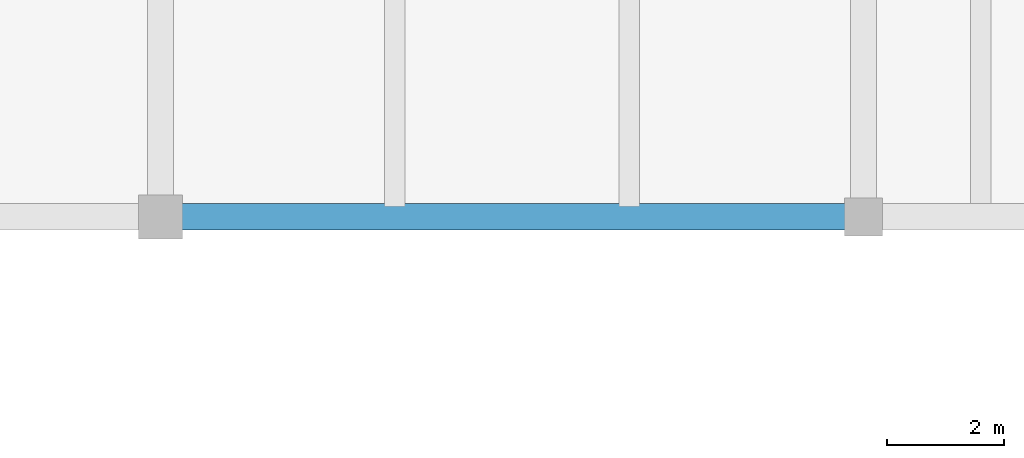
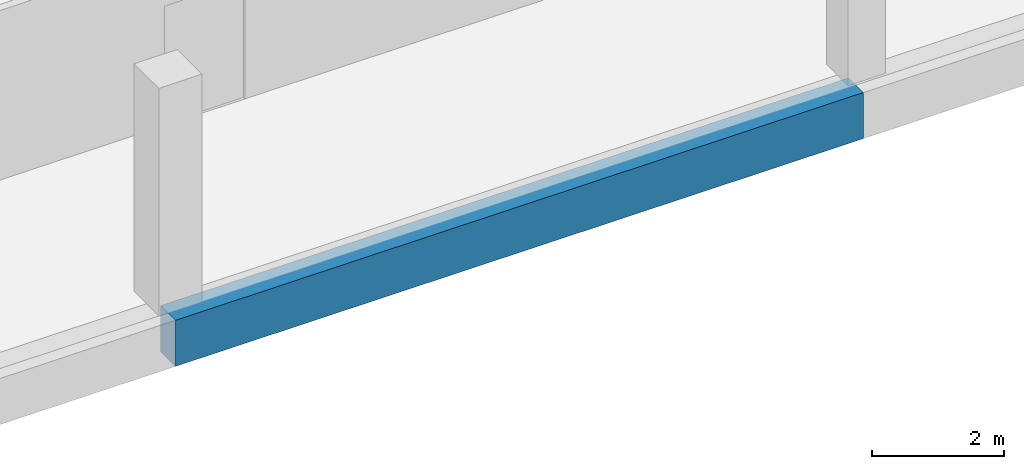
# One storey, part 114 of 161: 1 beam.
"""IFC4 building model written with IfcOpenShell, lengths in metres."""

from ifc_helpers import new_model, si_unit, direction, frame, origin, origin_2d, place, context, subcontext, project, spatial, rectangle, extrude, material, material_profile, profile_set, type_object, element, save


model = new_model("IFC4")

# Units and contexts
model_context = context("Model", 3, precision=1e-05, world=origin(), true_north=direction((0.0, 1.0)))
body_context = subcontext(model_context, "Body", "Model", "MODEL_VIEW")
ifc_project = project(units=[si_unit("LENGTHUNIT", "METRE"), si_unit("AREAUNIT", "SQUARE_METRE"), si_unit("VOLUMEUNIT", "CUBIC_METRE"), si_unit("PLANEANGLEUNIT", "RADIAN"), si_unit("MASSUNIT", "GRAM", prefix="KILO")], contexts=[model_context])

# Site, building, storey
site_placement = place(None, origin())
site = spatial("IfcSite", under=ifc_project, at=site_placement, CompositionType="ELEMENT")
building_placement = place(site_placement, origin())
building = spatial("IfcBuilding", under=site, at=building_placement, Name="Mersad Railyard Sports Hall", CompositionType="ELEMENT")
storey_placement = place(building_placement, frame((0.0, 0.0, 4.800048828125)))
storey = spatial("IfcBuildingStorey", under=building, at=storey_placement, Name="L01", CompositionType="ELEMENT", Elevation=4.800048828125)

# Beam
ifc_material = material(Name="Concrete C40/50", Category="concrete")
ifc_material_profile = material_profile(ifc_material, rectangle(XDim=0.449951171875, YDim=0.85009765625, at=origin_2d()), Name="RC 450x850")
ifc_profile_set = profile_set([ifc_material_profile], Name="Concrete C40/50")
beam_type = type_object("IfcBeamType", Name="STR-BM-B02", PredefinedType="BEAM", material=ifc_profile_set)
beam_placement = place(storey_placement, frame((161.0, 95.0, -0.72509765625), z_axis=(1.0, 0.0, 0.0), x_axis=(0.0, 1.0, 0.0)))
element("IfcBeam", 1, at=beam_placement, inside=storey, type_object=beam_type, Name="Beam B02-0984", PredefinedType="BEAM", context=body_context, shape_type="SweptSolid", body=[
    extrude(rectangle(XDim=0.449951171875, YDim=0.85009765625, at=origin_2d()), origin(), (0.0, 0.0, 1.0), 12.0),
])

save(model, "model.ifc")
